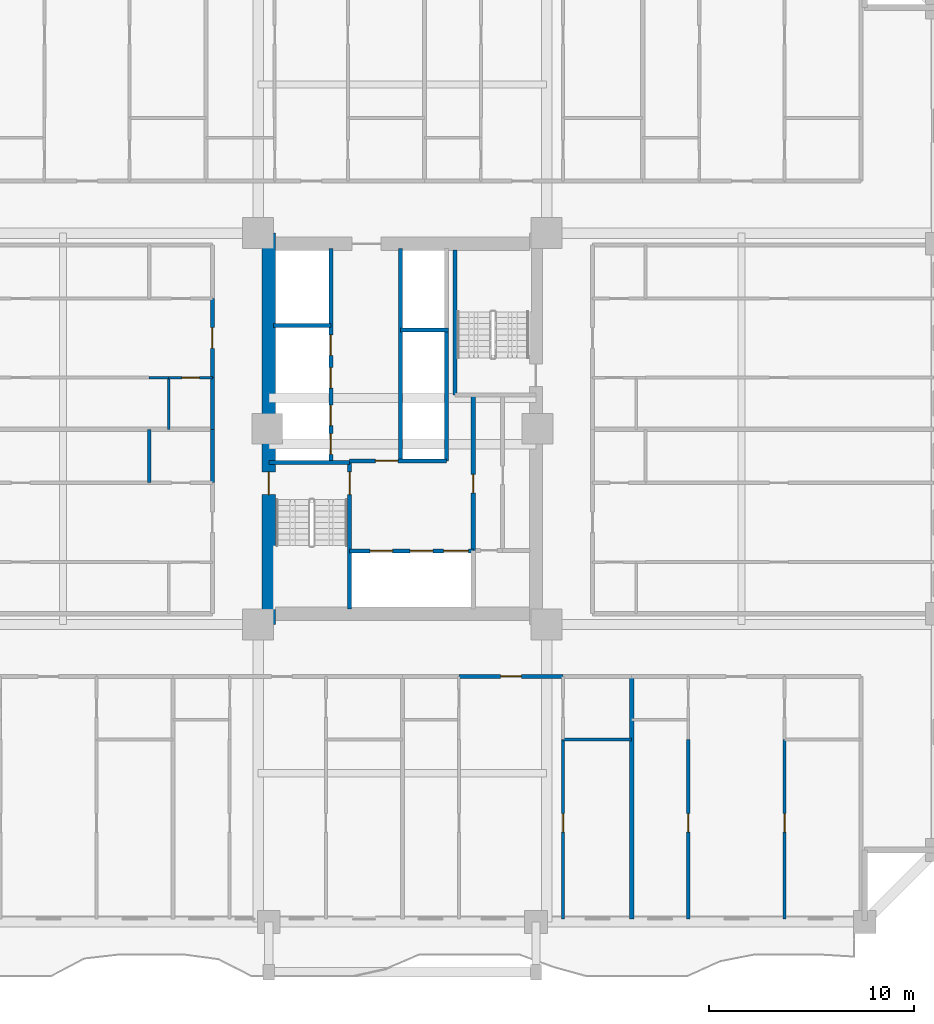
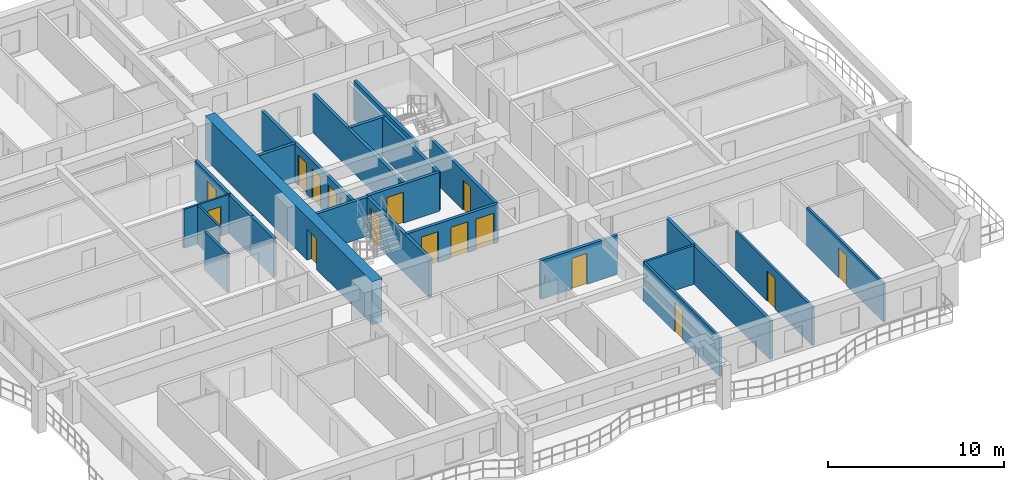
# One storey, part 4 of 15: 25 walls, 17 doors, 17 openings.
"""IFC4 building model written with IfcOpenShell, lengths in metres."""

from ifc_helpers import new_model, si_unit, direction, frame, frame_2d, origin, place, context, subcontext, project, spatial, rectangle, extrude, source, transform, mapped, material, layer, layer_set, type_object, element, fill, save


model = new_model("IFC4")

# Units and contexts
model_context = context("Model", 3, precision=1e-05, world=origin(), true_north=direction((0.0, 1.0)))
body_context = subcontext(model_context, "Body", "Model", "MODEL_VIEW")
ifc_project = project(units=[si_unit("LENGTHUNIT", "METRE"), si_unit("AREAUNIT", "SQUARE_METRE"), si_unit("VOLUMEUNIT", "CUBIC_METRE"), si_unit("PLANEANGLEUNIT", "RADIAN"), si_unit("MASSUNIT", "GRAM", prefix="KILO")], contexts=[model_context])

# Site, building, storey
site_placement = place(None, origin())
site = spatial("IfcSite", under=ifc_project, at=site_placement, CompositionType="ELEMENT")
building_placement = place(site_placement, origin())
building = spatial("IfcBuilding", under=site, at=building_placement, Name="Saelheon Loggia Tower", CompositionType="ELEMENT")
storey_placement = place(building_placement, frame((0.0, 0.0, 67.39990234375)))
storey = spatial("IfcBuildingStorey", under=building, at=storey_placement, Name="L21", CompositionType="ELEMENT", Elevation=67.39990234375)

# Wall, opening, door
ifc_material_1 = material(Name="Concrete C60/75", Category="concrete")
ifc_layer_1 = layer(ifc_material_1, 0.64990234375)
ifc_layer_set_1 = layer_set([ifc_layer_1], Name="Concrete C60/75")
wall_type_1 = type_object("IfcWallType", Name="Wall_CoreShear_650", PredefinedType="SHEAR", material=ifc_layer_set_1)
wall_1_placement = place(storey_placement, frame((31.5, 17.47998046875, 0.0), z_axis=(0.0, 0.0, 1.0), x_axis=(0.0, 1.0, 0.0)))
wall_1 = element("IfcWall", 1, at=wall_1_placement, inside=storey, type_object=wall_type_1, Name="L21 Core Shear Wall West", PredefinedType="SHEAR", context=body_context, shape_type="SweptSolid", body=[
    extrude(rectangle(XDim=19.0400390625, YDim=0.64990234375, at=frame_2d((9.52001953125, 0.0))), origin(), (0.0, 0.0, 1.0), 3.0),
])
opening_1_placement = place(wall_1_placement, frame((6.320068359375, 0.0, 0.0)))
opening_1 = element("IfcOpeningElement", 2, at=opening_1_placement, cuts=wall_1, Name="Opening D-FD2", PredefinedType="OPENING", context=body_context, shape_type="SweptSolid", body=[
    extrude(rectangle(XDim=1.10009765625, YDim=2.14990234375, at=frame_2d((0.550048828125, 1.074951171875))), frame((0.0, 0.3369140625, 0.0), z_axis=(0.0, -1.0, 0.0), x_axis=(1.0, 0.0, 0.0)), (0.0, 0.0, 1.0), 0.673828125),
])
ifc_material_2 = material(Name="Galvanised Steel Fire Door", Category="steel")
door_type_1 = type_object("IfcDoorType", Name="Door_Fire_FD60_1100", OperationType="NOTDEFINED", PredefinedType="DOOR", material=ifc_material_2)
shared_shape_1 = source(origin(), body_context, "Body", "SweptSolid", [
    extrude(rectangle(XDim=1.10009765625, YDim=2.14990234375, at=frame_2d((0.550048828125, 1.074951171875))), frame((0.0, 0.02490234375, 0.0), z_axis=(0.0, -1.0, 0.0), x_axis=(1.0, 0.0, 0.0)), (0.0, 0.0, 1.0), 0.050048828125),
])
door_1_placement = place(opening_1_placement, origin())
door_1 = element("IfcDoor", 3, at=door_1_placement, inside=storey, type_object=door_type_1, Name="L21 Stair ST1 Corridor Door", OperationType="SINGLE_SWING_LEFT", OverallHeight=2.14990234375, OverallWidth=1.10009765625, PredefinedType="DOOR", context=body_context, shape_type="MappedRepresentation", body=[
    mapped(shared_shape_1, transform((0.0, 0.0, 0.0), scale=1.0)),
])
fill(opening_1, door_1)

# Wall
ifc_material_3 = material(Name="Lightweight Autoclaved Aerated Concrete Block and Acoustic Gypsum", Category="concrete")
ifc_layer_2 = layer(ifc_material_3, 0.14990234375)
ifc_layer_set_2 = layer_set([ifc_layer_2], Name="Lightweight Autoclaved Aerated Concrete Block and Acoustic Gypsum")
wall_type_2 = type_object("IfcWallType", Name="Wall_Part_150", PredefinedType="PARTITIONING", material=ifc_layer_set_2)
wall_2_placement = place(storey_placement, frame((45.820068359375, 11.8798828125, 0.0), z_axis=(0.0, 0.0, 1.0), x_axis=(1.0, 0.0, 0.0)))
element("IfcWall", 4, at=wall_2_placement, inside=storey, type_object=wall_type_2, Name="L21 S Partition V29", PredefinedType="PARTITIONING", context=body_context, shape_type="SweptSolid", body=[
    extrude(rectangle(XDim=3.33984375, YDim=0.14990234375, at=frame_2d((1.669921875, 0.0))), origin(), (0.0, 0.0, 1.0), 2.7001953125),
])

# Wall, opening, door
wall_3_placement = place(storey_placement, frame((45.820068359375, 11.8798828125, 0.0), z_axis=(0.0, 0.0, 1.0), x_axis=(0.0, -1.0, 0.0)))
wall_3 = element("IfcWall", 5, at=wall_3_placement, inside=storey, type_object=wall_type_2, Name="L21 S Partition U34", PredefinedType="PARTITIONING", context=body_context, shape_type="SweptSolid", body=[
    extrude(rectangle(XDim=8.72998046875, YDim=0.14990234375, at=frame_2d((4.364990234375, 0.0))), origin(), (0.0, 0.0, 1.0), 2.7001953125),
])
opening_2_placement = place(wall_3_placement, frame((3.608642578125, 0.0, 0.0)))
opening_2 = element("IfcOpeningElement", 6, at=opening_2_placement, cuts=wall_3, Name="Opening D-IN2", PredefinedType="OPENING", context=body_context, shape_type="SweptSolid", body=[
    extrude(rectangle(XDim=0.89990234375, YDim=2.10009765625, at=frame_2d((0.449951171875, 1.050048828125))), frame((0.0, 0.0869140625, 0.0), z_axis=(0.0, -1.0, 0.0), x_axis=(1.0, 0.0, 0.0)), (0.0, 0.0, 1.0), 0.173828125),
])
ifc_material_4 = material(Name="Engineered Oak Flush Door", Category="timber")
door_type_2 = type_object("IfcDoorType", Name="Door_Int_900", OperationType="NOTDEFINED", PredefinedType="DOOR", material=ifc_material_4)
shared_shape_2 = source(origin(), body_context, "Body", "SweptSolid", [
    extrude(rectangle(XDim=0.89990234375, YDim=2.10009765625, at=frame_2d((0.449951171875, 1.050048828125))), frame((0.0, 0.02490234375, 0.0), z_axis=(0.0, -1.0, 0.0), x_axis=(1.0, 0.0, 0.0)), (0.0, 0.0, 1.0), 0.050048828125),
])
door_2_placement = place(opening_2_placement, origin())
door_2 = element("IfcDoor", 7, at=door_2_placement, inside=storey, type_object=door_type_2, Name="Unit U03 Bedroom 1 Door", OperationType="SINGLE_SWING_RIGHT", OverallHeight=2.10009765625, OverallWidth=0.89990234375, PredefinedType="DOOR", context=body_context, shape_type="MappedRepresentation", body=[
    mapped(shared_shape_2, transform((0.0, 0.0, 0.0), scale=1.0)),
])
fill(opening_2, door_2)

wall_4_placement = place(storey_placement, frame((51.909912109375, 11.8798828125, 0.0), z_axis=(0.0, 0.0, 1.0), x_axis=(0.0, -1.0, 0.0)))
wall_4 = element("IfcWall", 8, at=wall_4_placement, inside=storey, type_object=wall_type_2, Name="L21 S Partition U43", PredefinedType="PARTITIONING", context=body_context, shape_type="SweptSolid", body=[
    extrude(rectangle(XDim=8.72998046875, YDim=0.14990234375, at=frame_2d((4.364990234375, 0.0))), origin(), (0.0, 0.0, 1.0), 2.7001953125),
])
opening_3_placement = place(wall_4_placement, frame((3.608642578125, 0.0, 0.0)))
opening_3 = element("IfcOpeningElement", 9, at=opening_3_placement, cuts=wall_4, Name="Opening D-IN2", PredefinedType="OPENING", context=body_context, shape_type="SweptSolid", body=[
    extrude(rectangle(XDim=0.89990234375, YDim=2.10009765625, at=frame_2d((0.449951171875, 1.050048828125))), frame((0.0, 0.0869140625, 0.0), z_axis=(0.0, -1.0, 0.0), x_axis=(1.0, 0.0, 0.0)), (0.0, 0.0, 1.0), 0.173828125),
])
door_3_placement = place(opening_3_placement, origin())
door_3 = element("IfcDoor", 10, at=door_3_placement, inside=storey, type_object=door_type_2, Name="Unit U04 Kitchen Door", OperationType="SINGLE_SWING_LEFT", OverallHeight=2.10009765625, OverallWidth=0.89990234375, PredefinedType="DOOR", context=body_context, shape_type="MappedRepresentation", body=[
    mapped(shared_shape_2, transform((0.0, 0.0, 0.0), scale=1.0)),
])
fill(opening_3, door_3)

wall_5_placement = place(storey_placement, frame((56.59716796875, 11.8798828125, 0.0), z_axis=(0.0, 0.0, 1.0), x_axis=(0.0, -1.0, 0.0)))
wall_5 = element("IfcWall", 11, at=wall_5_placement, inside=storey, type_object=wall_type_2, Name="L21 S Partition U45", PredefinedType="PARTITIONING", context=body_context, shape_type="SweptSolid", body=[
    extrude(rectangle(XDim=8.72998046875, YDim=0.14990234375, at=frame_2d((4.364990234375, 0.0))), origin(), (0.0, 0.0, 1.0), 2.7001953125),
])
opening_4_placement = place(wall_5_placement, frame((3.608642578125, 0.0, 0.0)))
opening_4 = element("IfcOpeningElement", 12, at=opening_4_placement, cuts=wall_5, Name="Opening D-IN2", PredefinedType="OPENING", context=body_context, shape_type="SweptSolid", body=[
    extrude(rectangle(XDim=0.89990234375, YDim=2.10009765625, at=frame_2d((0.449951171875, 1.050048828125))), frame((0.0, 0.0869140625, 0.0), z_axis=(0.0, -1.0, 0.0), x_axis=(1.0, 0.0, 0.0)), (0.0, 0.0, 1.0), 0.173828125),
])
door_4_placement = place(opening_4_placement, origin())
door_4 = element("IfcDoor", 13, at=door_4_placement, inside=storey, type_object=door_type_2, Name="Unit U04 Bedroom 1 Door", OperationType="SINGLE_SWING_LEFT", OverallHeight=2.10009765625, OverallWidth=0.89990234375, PredefinedType="DOOR", context=body_context, shape_type="MappedRepresentation", body=[
    mapped(shared_shape_2, transform((0.0, 0.0, 0.0), scale=1.0)),
])
fill(opening_4, door_4)

# Wall
wall_6_placement = place(storey_placement, frame((25.679931640625, 24.375, 0.0), z_axis=(0.0, 0.0, 1.0), x_axis=(0.0, 1.0, 0.0)))
element("IfcWall", 14, at=wall_6_placement, inside=storey, type_object=wall_type_2, Name="L21 W Partition V07", PredefinedType="PARTITIONING", context=body_context, shape_type="SweptSolid", body=[
    extrude(rectangle(XDim=2.60009765625, YDim=0.14990234375, at=frame_2d((1.300048828125, 0.0))), origin(), (0.0, 0.0, 1.0), 2.7001953125),
])

# Wall, opening, door
ifc_material_5 = material(Name="Double Acoustic Stud and Fireboard Partition", Category="gypsum")
ifc_layer_3 = layer(ifc_material_5, 0.199951171875)
ifc_layer_set_3 = layer_set([ifc_layer_3], Name="Double Acoustic Stud and Fireboard Partition")
wall_type_3 = type_object("IfcWallType", Name="Wall_Party_200", PredefinedType="PARTITIONING", material=ifc_layer_set_3)
wall_7_placement = place(storey_placement, frame((40.75, 14.949951171875, 0.0), z_axis=(0.0, 0.0, 1.0), x_axis=(1.0, 0.0, 0.0)))
wall_7 = element("IfcWall", 15, at=wall_7_placement, inside=storey, type_object=wall_type_3, Name="L21 S Partition V26", PredefinedType="PARTITIONING", context=body_context, shape_type="SweptSolid", body=[
    extrude(rectangle(XDim=5.070068359375, YDim=0.199951171875, at=frame_2d((2.53515625, 0.0))), origin(), (0.0, 0.0, 1.0), 2.7001953125),
])
opening_5_placement = place(wall_7_placement, frame((2.034912109375, 0.0, 0.0)))
opening_5 = element("IfcOpeningElement", 16, at=opening_5_placement, cuts=wall_7, Name="Opening D-FD1", PredefinedType="OPENING", context=body_context, shape_type="SweptSolid", body=[
    extrude(rectangle(XDim=1.0, YDim=2.14990234375, at=frame_2d((0.5, 1.074951171875))), frame((0.0, 0.112060546875, 0.0), z_axis=(0.0, -1.0, 0.0), x_axis=(1.0, 0.0, 0.0)), (0.0, 0.0, 1.0), 0.223876953125),
])
ifc_material_6 = material(Name="Fire-Rated Engineered Timber Entrance Door", Category="wood")
door_type_3 = type_object("IfcDoorType", Name="Door_Flat_FD30S", OperationType="NOTDEFINED", PredefinedType="DOOR", material=ifc_material_6)
shared_shape_3 = source(origin(), body_context, "Body", "SweptSolid", [
    extrude(rectangle(XDim=1.0, YDim=2.14990234375, at=frame_2d((0.5, 1.074951171875))), frame((0.0, 0.02490234375, 0.0), z_axis=(0.0, -1.0, 0.0), x_axis=(1.0, 0.0, 0.0)), (0.0, 0.0, 1.0), 0.050048828125),
])
door_5_placement = place(opening_5_placement, origin())
door_5 = element("IfcDoor", 17, at=door_5_placement, inside=storey, type_object=door_type_3, Name="Unit U03 Entrance Door", OperationType="SINGLE_SWING_RIGHT", OverallHeight=2.14990234375, OverallWidth=1.0, PredefinedType="DOOR", context=body_context, shape_type="MappedRepresentation", body=[
    mapped(shared_shape_3, transform((0.0, 0.0, 0.0), scale=1.0)),
])
fill(opening_5, door_5)

# Walls
wall_8_placement = place(storey_placement, frame((49.159912109375, 14.949951171875, 0.0), z_axis=(0.0, 0.0, 1.0), x_axis=(0.0, -1.0, 0.0)))
element("IfcWall", 18, at=wall_8_placement, inside=storey, type_object=wall_type_3, Name="L21 S Partition U35", PredefinedType="PARTITIONING", context=body_context, shape_type="SweptSolid", body=[
    extrude(rectangle(XDim=11.800048828125, YDim=0.199951171875, at=frame_2d((5.89990234375, 0.0))), origin(), (0.0, 0.0, 1.0), 2.7001953125),
])
wall_9_placement = place(storey_placement, frame((28.75, 24.375, 0.0), z_axis=(0.0, 0.0, 1.0), x_axis=(0.0, 1.0, 0.0)))
element("IfcWall", 19, at=wall_9_placement, inside=storey, type_object=wall_type_3, Name="L21 W Partition V05", PredefinedType="PARTITIONING", context=body_context, shape_type="SweptSolid", body=[
    extrude(rectangle(XDim=2.60009765625, YDim=0.199951171875, at=frame_2d((1.300048828125, 0.0))), origin(), (0.0, 0.0, 1.0), 2.7001953125),
])
wall_10_placement = place(storey_placement, frame((28.75, 26.97509765625, 0.0), z_axis=(0.0, 0.0, 1.0), x_axis=(0.0, 1.0, 0.0)))
element("IfcWall", 20, at=wall_10_placement, inside=storey, type_object=wall_type_3, Name="L21 W Partition V14", PredefinedType="PARTITIONING", context=body_context, shape_type="SweptSolid", body=[
    extrude(rectangle(XDim=2.512939453125, YDim=0.199951171875, at=frame_2d((1.25634765625, 0.0))), origin(), (0.0, 0.0, 1.0), 2.7001953125),
])

# Wall, opening, door
wall_11_placement = place(storey_placement, frame((28.75, 29.488037109375, 0.0), z_axis=(0.0, 0.0, 1.0), x_axis=(0.0, 1.0, 0.0)))
wall_11 = element("IfcWall", 21, at=wall_11_placement, inside=storey, type_object=wall_type_3, Name="L21 W Partition V15", PredefinedType="PARTITIONING", context=body_context, shape_type="SweptSolid", body=[
    extrude(rectangle(XDim=3.862060546875, YDim=0.199951171875, at=frame_2d((1.93115234375, 0.0))), origin(), (0.0, 0.0, 1.0), 2.7001953125),
])
opening_6_placement = place(wall_11_placement, frame((1.430908203125, 0.0, 0.0)))
opening_6 = element("IfcOpeningElement", 22, at=opening_6_placement, cuts=wall_11, Name="Opening D-FD1", PredefinedType="OPENING", context=body_context, shape_type="SweptSolid", body=[
    extrude(rectangle(XDim=1.0, YDim=2.14990234375, at=frame_2d((0.5, 1.074951171875))), frame((0.0, 0.112060546875, 0.0), z_axis=(0.0, -1.0, 0.0), x_axis=(1.0, 0.0, 0.0)), (0.0, 0.0, 1.0), 0.223876953125),
])
door_6_placement = place(opening_6_placement, origin())
door_6 = element("IfcDoor", 23, at=door_6_placement, inside=storey, type_object=door_type_3, Name="Unit U10 Entrance Door", OperationType="SINGLE_SWING_RIGHT", OverallHeight=2.14990234375, OverallWidth=1.0, PredefinedType="DOOR", context=body_context, shape_type="MappedRepresentation", body=[
    mapped(shared_shape_3, transform((0.0, 0.0, 0.0), scale=1.0)),
])
fill(opening_6, door_6)

ifc_material_7 = material(Name="Concrete C40/50", Category="concrete")
ifc_layer_4 = layer(ifc_material_7, 0.199951171875)
ifc_layer_set_4 = layer_set([ifc_layer_4], Name="Concrete C40/50")
wall_type_4 = type_object("IfcWallType", Name="Wall_Shaft_200", PredefinedType="PARTITIONING", material=ifc_layer_set_4)
wall_12_placement = place(storey_placement, frame((41.449951171875, 21.080078125, 0.0), z_axis=(0.0, 0.0, 1.0), x_axis=(0.0, 1.0, 0.0)))
wall_12 = element("IfcWall", 24, at=wall_12_placement, inside=storey, type_object=wall_type_4, Name="CW-INT-L21-BOH-W1", PredefinedType="PARTITIONING", context=body_context, shape_type="SweptSolid", body=[
    extrude(rectangle(XDim=7.52001953125, YDim=0.199951171875, at=frame_2d((3.760009765625, 0.0))), origin(), (0.0, 0.0, 1.0), 2.7001953125),
])
opening_7_placement = place(wall_12_placement, frame((2.800048828125, 0.0, 0.0)))
opening_7 = element("IfcOpeningElement", 25, at=opening_7_placement, cuts=wall_12, Name="Opening D-RS1", PredefinedType="OPENING", context=body_context, shape_type="SweptSolid", body=[
    extrude(rectangle(XDim=0.89990234375, YDim=2.10009765625, at=frame_2d((0.449951171875, 1.050048828125))), frame((0.0, 0.112060546875, 0.0), z_axis=(0.0, -1.0, 0.0), x_axis=(1.0, 0.0, 0.0)), (0.0, 0.0, 1.0), 0.223876953125),
])
ifc_material_8 = material(Name="Galvanised Steel Riser Access Door", Category="steel")
door_type_4 = type_object("IfcDoorType", Name="Door_Riser_FD60", OperationType="NOTDEFINED", PredefinedType="DOOR", material=ifc_material_8)
door_7_placement = place(opening_7_placement, origin())
door_7 = element("IfcDoor", 26, at=door_7_placement, inside=storey, type_object=door_type_4, Name="L21 Service Store Door", OperationType="SINGLE_SWING_LEFT", OverallHeight=2.10009765625, OverallWidth=0.89990234375, PredefinedType="DOOR", context=body_context, shape_type="MappedRepresentation", body=[
    mapped(shared_shape_2, transform((0.0, 0.0, 0.0), scale=1.0)),
])
fill(opening_7, door_7)

# Wall
wall_13_placement = place(storey_placement, frame((40.14990234375, 25.43994140625, 0.0), z_axis=(0.0, 0.0, 1.0), x_axis=(0.0, 1.0, 0.0)))
element("IfcWall", 27, at=wall_13_placement, inside=storey, type_object=wall_type_4, Name="L21 Core Service Passage West Wall", PredefinedType="PARTITIONING", context=body_context, shape_type="SweptSolid", body=[
    extrude(rectangle(XDim=6.360107421875, YDim=0.199951171875, at=frame_2d((3.18017578125, 0.0))), origin(), (0.0, 0.0, 1.0), 2.7001953125),
])

# Wall, openings, doors
wall_14_placement = place(storey_placement, frame((35.429931640625, 21.06005859375, 0.0), z_axis=(0.0, 0.0, 1.0), x_axis=(1.0, 0.0, 0.0)))
wall_14 = element("IfcWall", 28, at=wall_14_placement, inside=storey, type_object=wall_type_4, Name="L21 Firefighting Lift Shaft Front Wall", PredefinedType="PARTITIONING", context=body_context, shape_type="SweptSolid", body=[
    extrude(rectangle(XDim=6.02001953125, YDim=0.199951171875, at=frame_2d((3.010009765625, 0.0))), origin(), (0.0, 0.0, 1.0), 2.7001953125),
])
opening_8_placement = place(wall_14_placement, frame((1.0, 0.0, 0.0)))
opening_8 = element("IfcOpeningElement", 29, at=opening_8_placement, cuts=wall_14, Name="Opening LD2", PredefinedType="OPENING", context=body_context, shape_type="SweptSolid", body=[
    extrude(rectangle(XDim=1.10009765625, YDim=2.14990234375, at=frame_2d((0.550048828125, 1.074951171875))), frame((0.0, 0.112060546875, 0.0), z_axis=(0.0, -1.0, 0.0), x_axis=(1.0, 0.0, 0.0)), (0.0, 0.0, 1.0), 0.223876953125),
])
opening_9_placement = place(wall_14_placement, frame((2.949951171875, 0.0, 0.0)))
opening_9 = element("IfcOpeningElement", 30, at=opening_9_placement, cuts=wall_14, Name="Opening LD2", PredefinedType="OPENING", context=body_context, shape_type="SweptSolid", body=[
    extrude(rectangle(XDim=1.10009765625, YDim=2.14990234375, at=frame_2d((0.550048828125, 1.074951171875))), frame((0.0, 0.112060546875, 0.0), z_axis=(0.0, -1.0, 0.0), x_axis=(1.0, 0.0, 0.0)), (0.0, 0.0, 1.0), 0.223876953125),
])
opening_10_placement = place(wall_14_placement, frame((4.580078125, 0.0, 0.0)))
opening_10 = element("IfcOpeningElement", 31, at=opening_10_placement, cuts=wall_14, Name="Opening LD3", PredefinedType="OPENING", context=body_context, shape_type="SweptSolid", body=[
    extrude(rectangle(XDim=1.199951171875, YDim=2.14990234375, at=frame_2d((0.60009765625, 1.074951171875))), frame((0.0, 0.112060546875, 0.0), z_axis=(0.0, -1.0, 0.0), x_axis=(1.0, 0.0, 0.0)), (0.0, 0.0, 1.0), 0.223876953125),
])
ifc_material_9 = material(Name="Firefighting Stainless Steel 316 Landing Door", Category="steel")
door_type_5 = type_object("IfcDoorType", Name="Door_Lift_LD2", OperationType="DOUBLE_DOOR_SLIDING", PredefinedType="DOOR", material=ifc_material_9)
door_8_placement = place(opening_8_placement, origin())
door_8 = element("IfcDoor", 32, at=door_8_placement, inside=storey, type_object=door_type_5, Name="L21 FF1 Landing Door", OperationType="DOUBLE_DOOR_SLIDING", OverallHeight=2.14990234375, OverallWidth=1.10009765625, PredefinedType="DOOR", context=body_context, shape_type="MappedRepresentation", body=[
    mapped(shared_shape_1, transform((0.0, 0.0, 0.0), scale=1.0)),
])
fill(opening_8, door_8)
door_9_placement = place(opening_9_placement, origin())
door_9 = element("IfcDoor", 33, at=door_9_placement, inside=storey, type_object=door_type_5, Name="L21 FF2 Landing Door", OperationType="DOUBLE_DOOR_SLIDING", OverallHeight=2.14990234375, OverallWidth=1.10009765625, PredefinedType="DOOR", context=body_context, shape_type="MappedRepresentation", body=[
    mapped(shared_shape_1, transform((0.0, 0.0, 0.0), scale=1.0)),
])
fill(opening_9, door_9)
ifc_material_10 = material(Name="Stretcher Lift Stainless Steel 304 Landing Door", Category="steel")
door_type_6 = type_object("IfcDoorType", Name="Door_Lift_LD3", OperationType="DOUBLE_DOOR_SLIDING", PredefinedType="DOOR", material=ifc_material_10)
shared_shape_4 = source(origin(), body_context, "Body", "SweptSolid", [
    extrude(rectangle(XDim=1.199951171875, YDim=2.14990234375, at=frame_2d((0.60009765625, 1.074951171875))), frame((0.0, 0.02490234375, 0.0), z_axis=(0.0, -1.0, 0.0), x_axis=(1.0, 0.0, 0.0)), (0.0, 0.0, 1.0), 0.050048828125),
])
door_10_placement = place(opening_10_placement, origin())
door_10 = element("IfcDoor", 34, at=door_10_placement, inside=storey, type_object=door_type_6, Name="L21 SV1 Landing Door", OperationType="DOUBLE_DOOR_SLIDING", OverallHeight=2.14990234375, OverallWidth=1.199951171875, PredefinedType="DOOR", context=body_context, shape_type="MappedRepresentation", body=[
    mapped(shared_shape_4, transform((0.0, 0.0, 0.0), scale=1.0)),
])
fill(opening_10, door_10)

# Wall, opening, door
wall_15_placement = place(storey_placement, frame((35.429931640625, 25.43994140625, 0.0), z_axis=(0.0, 0.0, 1.0), x_axis=(1.0, 0.0, 0.0)))
wall_15 = element("IfcWall", 35, at=wall_15_placement, inside=storey, type_object=wall_type_4, Name="L21 Firefighting Lobby Compartment Wall", PredefinedType="PARTITIONING", context=body_context, shape_type="SweptSolid", body=[
    extrude(rectangle(XDim=4.719970703125, YDim=0.199951171875, at=frame_2d((2.35986328125, 0.0))), origin(), (0.0, 0.0, 1.0), 2.7001953125),
])
opening_11_placement = place(wall_15_placement, frame((1.25, 0.0, 0.0)))
opening_11 = element("IfcOpeningElement", 36, at=opening_11_placement, cuts=wall_15, Name="Opening D-FD2", PredefinedType="OPENING", context=body_context, shape_type="SweptSolid", body=[
    extrude(rectangle(XDim=1.10009765625, YDim=2.14990234375, at=frame_2d((0.550048828125, 1.074951171875))), frame((0.0, 0.112060546875, 0.0), z_axis=(0.0, -1.0, 0.0), x_axis=(1.0, 0.0, 0.0)), (0.0, 0.0, 1.0), 0.223876953125),
])
door_11_placement = place(opening_11_placement, origin())
door_11 = element("IfcDoor", 37, at=door_11_placement, inside=storey, type_object=door_type_1, Name="L21 Firefighting Lobby Door", OperationType="SINGLE_SWING_RIGHT", OverallHeight=2.14990234375, OverallWidth=1.10009765625, PredefinedType="DOOR", context=body_context, shape_type="MappedRepresentation", body=[
    mapped(shared_shape_1, transform((0.0, 0.0, 0.0), scale=1.0)),
])
fill(opening_11, door_11)

# Wall, openings, doors
wall_16_placement = place(storey_placement, frame((34.52001953125, 25.43994140625, 0.0), z_axis=(0.0, 0.0, 1.0), x_axis=(0.0, 1.0, 0.0)))
wall_16 = element("IfcWall", 38, at=wall_16_placement, inside=storey, type_object=wall_type_4, Name="L21 West Passenger Lift Bank Wall", PredefinedType="PARTITIONING", context=body_context, shape_type="SweptSolid", body=[
    extrude(rectangle(XDim=10.340087890625, YDim=0.199951171875, at=frame_2d((5.169921875, 0.0))), origin(), (0.0, 0.0, 1.0), 2.7001953125),
])
opening_12_placement = place(wall_16_placement, frame((0.320068359375, 0.0, 0.0)))
opening_12 = element("IfcOpeningElement", 39, at=opening_12_placement, cuts=wall_16, Name="Opening LD1", PredefinedType="OPENING", context=body_context, shape_type="SweptSolid", body=[
    extrude(rectangle(XDim=1.0, YDim=2.14990234375, at=frame_2d((0.5, 1.074951171875))), frame((0.0, 0.112060546875, 0.0), z_axis=(0.0, -1.0, 0.0), x_axis=(1.0, 0.0, 0.0)), (0.0, 0.0, 1.0), 0.223876953125),
])
opening_13_placement = place(wall_16_placement, frame((1.7099609375, 0.0, 0.0)))
opening_13 = element("IfcOpeningElement", 40, at=opening_13_placement, cuts=wall_16, Name="Opening LD1", PredefinedType="OPENING", context=body_context, shape_type="SweptSolid", body=[
    extrude(rectangle(XDim=1.0, YDim=2.14990234375, at=frame_2d((0.5, 1.074951171875))), frame((0.0, 0.112060546875, 0.0), z_axis=(0.0, -1.0, 0.0), x_axis=(1.0, 0.0, 0.0)), (0.0, 0.0, 1.0), 0.223876953125),
])
opening_14_placement = place(wall_16_placement, frame((3.534912109375, 0.0, 0.0)))
opening_14 = element("IfcOpeningElement", 41, at=opening_14_placement, cuts=wall_16, Name="Opening LD1", PredefinedType="OPENING", context=body_context, shape_type="SweptSolid", body=[
    extrude(rectangle(XDim=1.0, YDim=2.14990234375, at=frame_2d((0.5, 1.074951171875))), frame((0.0, 0.112060546875, 0.0), z_axis=(0.0, -1.0, 0.0), x_axis=(1.0, 0.0, 0.0)), (0.0, 0.0, 1.0), 0.223876953125),
])
opening_15_placement = place(wall_16_placement, frame((5.135009765625, 0.0, 0.0)))
opening_15 = element("IfcOpeningElement", 42, at=opening_15_placement, cuts=wall_16, Name="Opening LD1", PredefinedType="OPENING", context=body_context, shape_type="SweptSolid", body=[
    extrude(rectangle(XDim=1.0, YDim=2.14990234375, at=frame_2d((0.5, 1.074951171875))), frame((0.0, 0.112060546875, 0.0), z_axis=(0.0, -1.0, 0.0), x_axis=(1.0, 0.0, 0.0)), (0.0, 0.0, 1.0), 0.223876953125),
])
ifc_material_11 = material(Name="Brushed Stainless Steel 304 Landing Door", Category="steel")
door_type_7 = type_object("IfcDoorType", Name="Door_Lift_LD1", OperationType="DOUBLE_DOOR_SLIDING", PredefinedType="DOOR", material=ifc_material_11)
door_12_placement = place(opening_12_placement, origin())
door_12 = element("IfcDoor", 43, at=door_12_placement, inside=storey, type_object=door_type_7, Name="L21 PL1 Landing Door", OperationType="DOUBLE_DOOR_SLIDING", OverallHeight=2.14990234375, OverallWidth=1.0, PredefinedType="DOOR", context=body_context, shape_type="MappedRepresentation", body=[
    mapped(shared_shape_3, transform((0.0, 0.0, 0.0), scale=1.0)),
])
fill(opening_12, door_12)
door_13_placement = place(opening_13_placement, origin())
door_13 = element("IfcDoor", 44, at=door_13_placement, inside=storey, type_object=door_type_7, Name="L21 PL2 Landing Door", OperationType="DOUBLE_DOOR_SLIDING", OverallHeight=2.14990234375, OverallWidth=1.0, PredefinedType="DOOR", context=body_context, shape_type="MappedRepresentation", body=[
    mapped(shared_shape_3, transform((0.0, 0.0, 0.0), scale=1.0)),
])
fill(opening_13, door_13)
door_14_placement = place(opening_14_placement, origin())
door_14 = element("IfcDoor", 45, at=door_14_placement, inside=storey, type_object=door_type_7, Name="L21 PL3 Landing Door", OperationType="DOUBLE_DOOR_SLIDING", OverallHeight=2.14990234375, OverallWidth=1.0, PredefinedType="DOOR", context=body_context, shape_type="MappedRepresentation", body=[
    mapped(shared_shape_3, transform((0.0, 0.0, 0.0), scale=1.0)),
])
fill(opening_14, door_14)
door_15_placement = place(opening_15_placement, origin())
door_15 = element("IfcDoor", 46, at=door_15_placement, inside=storey, type_object=door_type_7, Name="L21 PL4 Landing Door", OperationType="DOUBLE_DOOR_SLIDING", OverallHeight=2.14990234375, OverallWidth=1.0, PredefinedType="DOOR", context=body_context, shape_type="MappedRepresentation", body=[
    mapped(shared_shape_3, transform((0.0, 0.0, 0.0), scale=1.0)),
])
fill(opening_15, door_15)

# Walls
wall_17_placement = place(storey_placement, frame((31.719970703125, 32.02001953125, 0.0), z_axis=(0.0, 0.0, 1.0), x_axis=(1.0, 0.0, 0.0)))
element("IfcWall", 47, at=wall_17_placement, inside=storey, type_object=wall_type_4, Name="L21 West High-Rise Shaft Divider", PredefinedType="PARTITIONING", context=body_context, shape_type="SweptSolid", body=[
    extrude(rectangle(XDim=2.800048828125, YDim=0.199951171875, at=frame_2d((1.39990234375, 0.0))), origin(), (0.0, 0.0, 1.0), 2.7001953125),
])
wall_18_placement = place(storey_placement, frame((37.89990234375, 25.43994140625, 0.0), z_axis=(0.0, 0.0, 1.0), x_axis=(0.0, 1.0, 0.0)))
element("IfcWall", 48, at=wall_18_placement, inside=storey, type_object=wall_type_4, Name="L21 East Passenger Lift Bank Wall", PredefinedType="PARTITIONING", context=body_context, shape_type="SweptSolid", body=[
    extrude(rectangle(XDim=10.340087890625, YDim=0.199951171875, at=frame_2d((5.169921875, 0.0))), origin(), (0.0, 0.0, 1.0), 2.7001953125),
])
wall_19_placement = place(storey_placement, frame((37.89990234375, 31.800048828125, 0.0), z_axis=(0.0, 0.0, 1.0), x_axis=(1.0, 0.0, 0.0)))
element("IfcWall", 49, at=wall_19_placement, inside=storey, type_object=wall_type_4, Name="L21 East High-Rise Shaft Divider", PredefinedType="PARTITIONING", context=body_context, shape_type="SweptSolid", body=[
    extrude(rectangle(XDim=2.35009765625, YDim=0.199951171875, at=frame_2d((1.175048828125, 0.0))), origin(), (0.0, 0.0, 1.0), 2.7001953125),
])

# Wall, opening, door
ifc_material_12 = material(Name="Concrete C45/55", Category="concrete")
ifc_layer_5 = layer(ifc_material_12, 0.199951171875)
ifc_layer_set_5 = layer_set([ifc_layer_5], Name="Concrete C45/55")
wall_type_5 = type_object("IfcWallType", Name="Wall_StairShaft_RC200", PredefinedType="SOLIDWALL", material=ifc_layer_set_5)
wall_20_placement = place(storey_placement, frame((35.429931640625, 18.219970703125, 0.0), z_axis=(0.0, 0.0, 1.0), x_axis=(0.0, 1.0, 0.0)))
wall_20 = element("IfcWall", 50, at=wall_20_placement, inside=storey, type_object=wall_type_5, Name="L21 Stair ST1 Shaft Wall", PredefinedType="SOLIDWALL", context=body_context, shape_type="SweptSolid", body=[
    extrude(rectangle(XDim=7.219970703125, YDim=0.199951171875, at=frame_2d((3.60986328125, 0.0))), origin(), (0.0, 0.0, 1.0), 2.7001953125),
])
opening_16_placement = place(wall_20_placement, frame((6.68017578125, 0.0, 0.0), z_axis=(0.0, 0.0, 1.0), x_axis=(-1.0, 0.0, 0.0)))
opening_16 = element("IfcOpeningElement", 51, at=opening_16_placement, cuts=wall_20, Name="Opening D-FD2", PredefinedType="OPENING", context=body_context, shape_type="SweptSolid", body=[
    extrude(rectangle(XDim=1.10009765625, YDim=2.14990234375, at=frame_2d((0.550048828125, 1.074951171875))), frame((0.0, 0.112060546875, 0.0), z_axis=(0.0, -1.0, 0.0), x_axis=(1.0, 0.0, 0.0)), (0.0, 0.0, 1.0), 0.223876953125),
])
door_16_placement = place(opening_16_placement, origin())
door_16 = element("IfcDoor", 52, at=door_16_placement, inside=storey, type_object=door_type_1, Name="L21 Stair ST1 Lobby Door", OperationType="SINGLE_SWING_LEFT", OverallHeight=2.14990234375, OverallWidth=1.10009765625, PredefinedType="DOOR", context=body_context, shape_type="MappedRepresentation", body=[
    mapped(shared_shape_1, transform((0.0, 0.0, 0.0), scale=1.0)),
])
fill(opening_16, door_16)

# Walls
wall_21_placement = place(storey_placement, frame((31.5, 25.35009765625, 0.0), z_axis=(0.0, 0.0, 1.0), x_axis=(1.0, 0.0, 0.0)))
element("IfcWall", 53, at=wall_21_placement, inside=storey, type_object=wall_type_5, Name="L21 Stair ST1 North Wall", PredefinedType="SOLIDWALL", context=body_context, shape_type="SweptSolid", body=[
    extrude(rectangle(XDim=3.929931640625, YDim=0.199951171875, at=frame_2d((1.96484375, 0.0))), origin(), (0.0, 0.0, 1.0), 2.7001953125),
])
wall_22_placement = place(storey_placement, frame((40.570068359375, 28.64990234375, 0.0), z_axis=(0.0, 0.0, 1.0), x_axis=(0.0, 1.0, 0.0)))
element("IfcWall", 54, at=wall_22_placement, inside=storey, type_object=wall_type_5, Name="L21 Stair ST2 Shaft Wall", PredefinedType="SOLIDWALL", context=body_context, shape_type="SweptSolid", body=[
    extrude(rectangle(XDim=7.050048828125, YDim=0.199951171875, at=frame_2d((3.52490234375, 0.0))), origin(), (0.0, 0.0, 1.0), 2.7001953125),
])
ifc_material_13 = material(Name="Moisture-Resistant Cement Board Partition", Category="gypsum")
ifc_layer_6 = layer(ifc_material_13, 0.1201171875)
ifc_layer_set_6 = layer_set([ifc_layer_6], Name="Moisture-Resistant Cement Board Partition")
wall_type_6 = type_object("IfcWallType", Name="Wall_WetPart_120", PredefinedType="PARTITIONING", material=ifc_layer_set_6)
wall_23_placement = place(storey_placement, frame((26.6298828125, 26.97509765625, 0.0), z_axis=(0.0, 0.0, 1.0), x_axis=(0.0, 1.0, 0.0)))
element("IfcWall", 55, at=wall_23_placement, inside=storey, type_object=wall_type_6, Name="L21 W Partition V17", PredefinedType="PARTITIONING", context=body_context, shape_type="SweptSolid", body=[
    extrude(rectangle(XDim=2.512939453125, YDim=0.1201171875, at=frame_2d((1.25634765625, 0.0))), origin(), (0.0, 0.0, 1.0), 2.7001953125),
])

# Wall, opening, door
wall_24_placement = place(storey_placement, frame((28.75, 29.488037109375, 0.0), z_axis=(0.0, 0.0, 1.0), x_axis=(-1.0, 0.0, 0.0)))
wall_24 = element("IfcWall", 56, at=wall_24_placement, inside=storey, type_object=wall_type_6, Name="L21 W Partition U19", PredefinedType="PARTITIONING", context=body_context, shape_type="SweptSolid", body=[
    extrude(rectangle(XDim=2.1201171875, YDim=0.1201171875, at=frame_2d((1.06005859375, 0.0))), origin(), (0.0, 0.0, 1.0), 2.7001953125),
])
opening_17_placement = place(wall_24_placement, frame((0.635009765625, 0.0, 0.0)))
opening_17 = element("IfcOpeningElement", 57, at=opening_17_placement, cuts=wall_24, Name="Opening D-BT1", PredefinedType="OPENING", context=body_context, shape_type="SweptSolid", body=[
    extrude(rectangle(XDim=0.85009765625, YDim=2.050048828125, at=frame_2d((0.425048828125, 1.02490234375))), frame((0.0, 0.072021484375, 0.0), z_axis=(0.0, -1.0, 0.0), x_axis=(1.0, 0.0, 0.0)), (0.0, 0.0, 1.0), 0.14404296875),
])
ifc_material_14 = material(Name="Moisture-Resistant Laminate Timber Door", Category="wood")
door_type_8 = type_object("IfcDoorType", Name="Door_Bath_850", OperationType="NOTDEFINED", PredefinedType="DOOR", material=ifc_material_14)
shared_shape_5 = source(origin(), body_context, "Body", "SweptSolid", [
    extrude(rectangle(XDim=0.85009765625, YDim=2.050048828125, at=frame_2d((0.425048828125, 1.02490234375))), frame((0.0, 0.02490234375, 0.0), z_axis=(0.0, -1.0, 0.0), x_axis=(1.0, 0.0, 0.0)), (0.0, 0.0, 1.0), 0.050048828125),
])
door_17_placement = place(opening_17_placement, origin())
door_17 = element("IfcDoor", 58, at=door_17_placement, inside=storey, type_object=door_type_8, Name="Unit U10 Bathroom Door", OperationType="SINGLE_SWING_LEFT", OverallHeight=2.050048828125, OverallWidth=0.85009765625, PredefinedType="DOOR", context=body_context, shape_type="MappedRepresentation", body=[
    mapped(shared_shape_5, transform((0.0, 0.0, 0.0), scale=1.0)),
])
fill(opening_17, door_17)

# Wall
wall_25_placement = place(storey_placement, frame((26.6298828125, 29.488037109375, 0.0), z_axis=(0.0, 0.0, 1.0), x_axis=(-1.0, 0.0, 0.0)))
element("IfcWall", 59, at=wall_25_placement, inside=storey, type_object=wall_type_6, Name="L21 W Partition U20", PredefinedType="PARTITIONING", context=body_context, shape_type="SweptSolid", body=[
    extrude(rectangle(XDim=0.949951171875, YDim=0.1201171875, at=frame_2d((0.47509765625, 0.0))), origin(), (0.0, 0.0, 1.0), 2.7001953125),
])

save(model, "model.ifc")
